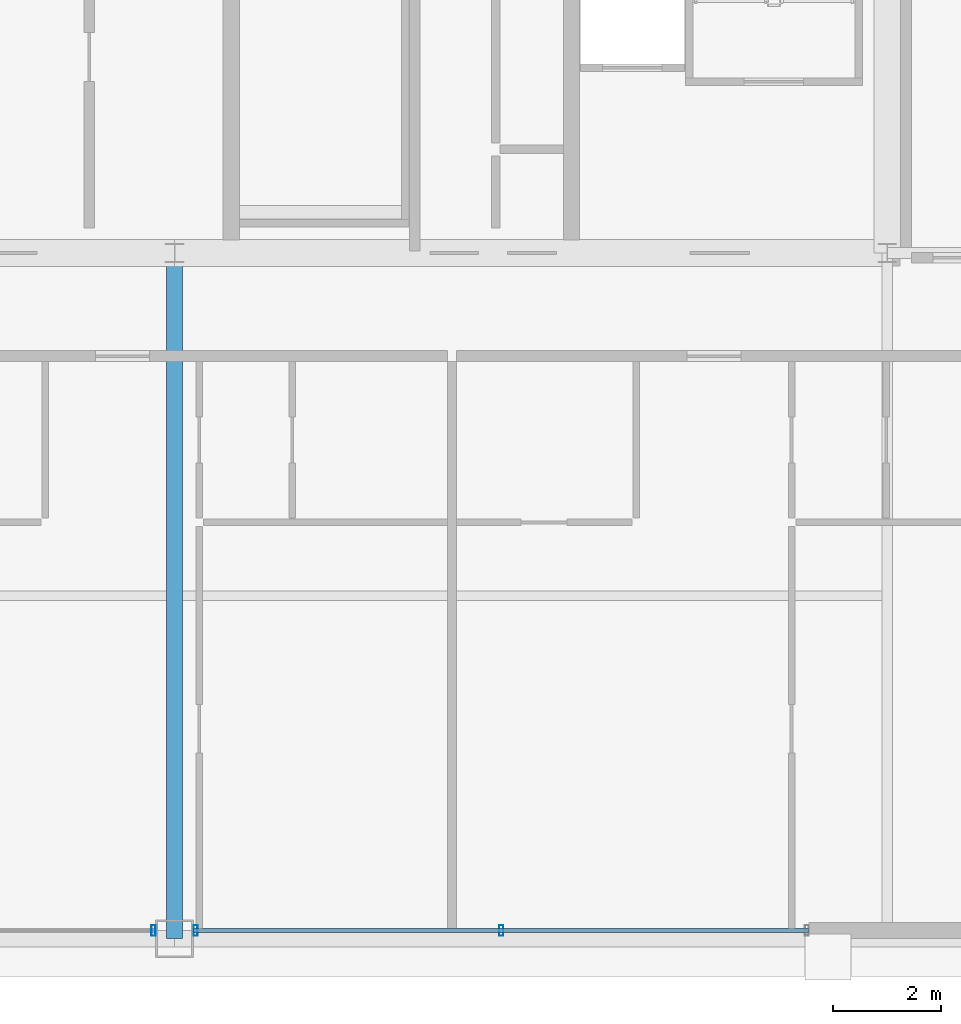
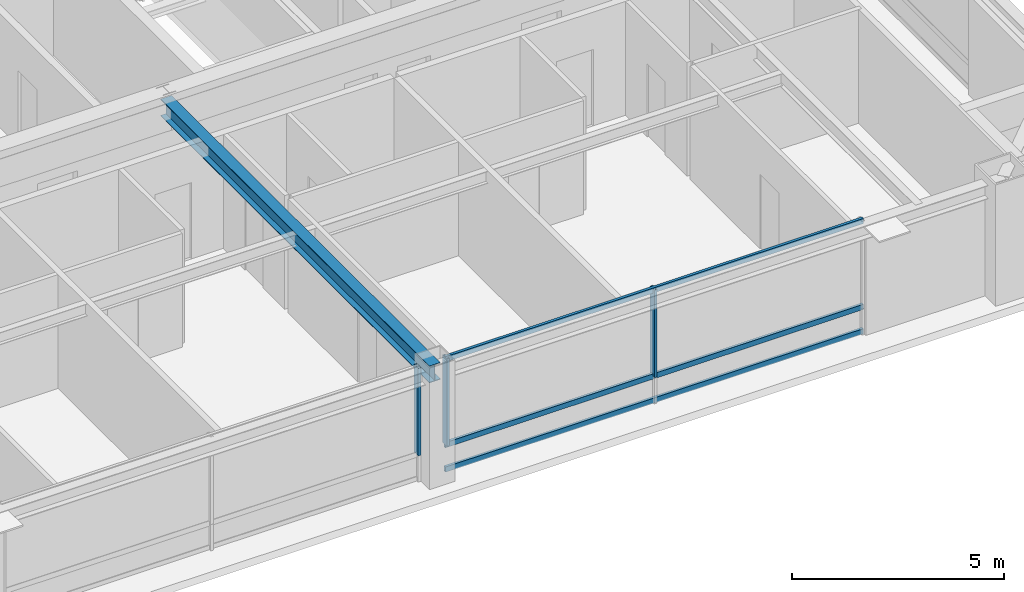
# One storey, part 8 of 35: 6 members, 1 beam, 2 elements without a shape of their own.
"""IFC4 building model written with IfcOpenShell, lengths in metres."""

from ifc_helpers import new_model, si_unit, direction, frame, origin, origin_2d, place, context, subcontext, project, spatial, hollow_rectangle, i_section, extrude, source, transform, mapped, material, layer, layer_set, material_profile, profile_set, type_object, element, aggregate, save


model = new_model("IFC4")

# Units and contexts
model_context = context("Model", 3, precision=1e-05, world=origin(), true_north=direction((0.0, 1.0)))
body_context = subcontext(model_context, "Body", "Model", "MODEL_VIEW")
ifc_project = project(units=[si_unit("LENGTHUNIT", "METRE"), si_unit("AREAUNIT", "SQUARE_METRE"), si_unit("VOLUMEUNIT", "CUBIC_METRE"), si_unit("PLANEANGLEUNIT", "RADIAN"), si_unit("MASSUNIT", "GRAM", prefix="KILO"), si_unit("THERMODYNAMICTEMPERATUREUNIT", "KELVIN"), si_unit("POWERUNIT", "WATT")], contexts=[model_context])

# Site, building, storey
site_placement = place(None, origin())
site = spatial("IfcSite", under=ifc_project, at=site_placement, CompositionType="ELEMENT")
building_placement = place(site_placement, origin())
building = spatial("IfcBuilding", under=site, at=building_placement, Name="Yuzanri Waterfront Tower", CompositionType="ELEMENT")
storey_placement = place(building_placement, frame((0.0, 0.0, 311.199951171875)))
storey = spatial("IfcBuildingStorey", under=building, at=storey_placement, Name="L83", CompositionType="ELEMENT", Elevation=311.199951171875)

# Beam
ifc_material_1 = material(Name="Steel Q355B", Category="steel")
ifc_material_profile_1 = material_profile(ifc_material_1, i_section(OverallWidth=0.300048828125, OverallDepth=0.488037109375, WebThickness=0.010986328125, FlangeThickness=0.01806640625, at=origin_2d()), Name="HM 488x300x11x18")
ifc_profile_set_1 = profile_set([ifc_material_profile_1], Name="Steel Q355B")
beam_type = type_object("IfcBeamType", Name="Primary Floor Girder Q355B HM 488x300", PredefinedType="BEAM", material=ifc_profile_set_1)
shared_shape_1 = source(origin(), body_context, "Body", "SweptSolid", [
    extrude(i_section(OverallWidth=0.300048828125, OverallDepth=0.488037109375, WebThickness=0.010986328125, FlangeThickness=0.01806640625, at=origin_2d()), origin(), (0.0, 0.0, 1.0), 12.699951171875),
])
beam_placement = place(storey_placement, frame((37.0, 19.39990234375, 3.0361328125), z_axis=(0.0, -1.0, 0.0), x_axis=(1.0, 0.0, 0.0)))
element("IfcBeam", 1, at=beam_placement, inside=storey, type_object=beam_type, Name="L83 South Grid Girder", PredefinedType="BEAM", context=body_context, shape_type="MappedRepresentation", body=[
    mapped(shared_shape_1, transform((0.0, 0.0, 0.0), scale=1.0)),
])

# Curtain wall, member
ifc_material_2 = material(Name="Anodized Architectural Bronze", Category="metal")
ifc_layer = layer(ifc_material_2, 0.159912109375)
ifc_layer_set = layer_set([ifc_layer], Name="Anodized Architectural Bronze")
curtain_wall_type = type_object("IfcCurtainWallType", Name="Anodized Bronze High-Rise Penthouse High-Wind Unitized Curtain Wall 6900", PredefinedType="NOTDEFINED", material=ifc_layer_set)
curtain_wall_1_placement = place(storey_placement, origin())
curtain_wall_1 = element("IfcCurtainWall", 2, at=curtain_wall_1_placement, inside=storey, type_object=curtain_wall_type, Name="L83 Curtain Wall CW-L83-SL", PredefinedType="NOTDEFINED")
ifc_material_3 = material(Name="Anodized Architectural Bronze", Category="metal")
ifc_material_profile_2 = material_profile(ifc_material_3, hollow_rectangle(XDim=0.074951171875, YDim=0.199951171875, WallThickness=0.00390625, at=origin_2d()), Name="CWM 75x200")
ifc_profile_set_2 = profile_set([ifc_material_profile_2], Name="Anodized Architectural Bronze")
member_type_1 = type_object("IfcMemberType", Name="Anodized Bronze Primary Curtain-Wall Mullion 75x200", PredefinedType="MULLION", material=ifc_profile_set_2)
shared_shape_2 = source(origin(), body_context, "Body", "SweptSolid", [
    extrude(hollow_rectangle(XDim=0.074951171875, YDim=0.199951171875, WallThickness=0.00390625, at=origin_2d()), origin(), (0.0, 0.0, 1.0), 2.52392578125),
])
member_1_placement = place(storey_placement, frame((36.610107421875, 6.85009765625, 0.756103515625), z_axis=(0.0, 0.0, 1.0), x_axis=(1.0, 0.0, 0.0)))
member_1 = element("IfcMember", 3, at=member_1_placement, type_object=member_type_1, Name="CW-L83-SL Upper Mullion 02", PredefinedType="MULLION", context=body_context, shape_type="MappedRepresentation", body=[
    mapped(shared_shape_2, transform((0.0, 0.0, 0.0), scale=1.0)),
])
aggregate(curtain_wall_1, [member_1])

# Curtain wall, members
curtain_wall_2_placement = place(storey_placement, origin())
curtain_wall_2 = element("IfcCurtainWall", 4, at=curtain_wall_2_placement, inside=storey, type_object=curtain_wall_type, Name="L83 Curtain Wall CW-L83-SR", PredefinedType="NOTDEFINED")
member_2_placement = place(storey_placement, frame((37.389892578125, 6.85009765625, 0.756103515625), z_axis=(0.0, 0.0, 1.0), x_axis=(1.0, 0.0, 0.0)))
member_2 = element("IfcMember", 5, at=member_2_placement, type_object=member_type_1, Name="CW-L83-SR Upper Mullion 00", PredefinedType="MULLION", context=body_context, shape_type="MappedRepresentation", body=[
    mapped(shared_shape_2, transform((0.0, 0.0, 0.0), scale=1.0)),
])
member_3_placement = place(storey_placement, frame((43.050048828125, 6.85009765625, 0.756103515625), z_axis=(0.0, 0.0, 1.0), x_axis=(1.0, 0.0, 0.0)))
member_3 = element("IfcMember", 6, at=member_3_placement, type_object=member_type_1, Name="CW-L83-SR Upper Mullion 01", PredefinedType="MULLION", context=body_context, shape_type="MappedRepresentation", body=[
    mapped(shared_shape_2, transform((0.0, 0.0, 0.0), scale=1.0)),
])
ifc_material_4 = material(Name="Anodized Architectural Bronze", Category="metal")
ifc_material_profile_3 = material_profile(ifc_material_4, hollow_rectangle(XDim=0.074951171875, YDim=0.14990234375, WallThickness=0.00390625, at=origin_2d()), Name="CWT 75x150")
ifc_profile_set_3 = profile_set([ifc_material_profile_3], Name="Anodized Architectural Bronze")
member_type_2 = type_object("IfcMemberType", Name="Anodized Bronze Primary Curtain-Wall Transom 75x150", PredefinedType="USERDEFINED", material=ifc_profile_set_3)
shared_shape_3 = source(origin(), body_context, "Body", "SweptSolid", [
    extrude(hollow_rectangle(XDim=0.074951171875, YDim=0.14990234375, WallThickness=0.00390625, at=origin_2d()), origin(), (0.0, 0.0, 1.0), 11.39990234375),
])
member_4_placement = place(storey_placement, frame((37.35009765625, 6.85009765625, 0.050048828125), z_axis=(1.0, 0.0, 0.0), x_axis=(0.0, 1.0, 0.0)))
member_4 = element("IfcMember", 7, at=member_4_placement, type_object=member_type_2, Name="CW-L83-SR Transom 1", ObjectType="TRANSOM", PredefinedType="USERDEFINED", context=body_context, shape_type="MappedRepresentation", body=[
    mapped(shared_shape_3, transform((0.0, 0.0, 0.0), scale=1.0)),
])
member_5_placement = place(storey_placement, frame((37.35009765625, 6.85009765625, 0.754150390625), z_axis=(1.0, 0.0, 0.0), x_axis=(0.0, 1.0, 0.0)))
member_5 = element("IfcMember", 8, at=member_5_placement, type_object=member_type_2, Name="CW-L83-SR Transom 2", ObjectType="TRANSOM", PredefinedType="USERDEFINED", context=body_context, shape_type="MappedRepresentation", body=[
    mapped(shared_shape_3, transform((0.0, 0.0, 0.0), scale=1.0)),
])
member_6_placement = place(storey_placement, frame((37.35009765625, 6.85009765625, 3.22998046875), z_axis=(1.0, 0.0, 0.0), x_axis=(0.0, 1.0, 0.0)))
member_6 = element("IfcMember", 9, at=member_6_placement, type_object=member_type_2, Name="CW-L83-SR Transom 3", ObjectType="TRANSOM", PredefinedType="USERDEFINED", context=body_context, shape_type="MappedRepresentation", body=[
    mapped(shared_shape_3, transform((0.0, 0.0, 0.0), scale=1.0)),
])
aggregate(curtain_wall_2, [member_2, member_3, member_4, member_5, member_6])

save(model, "model.ifc")
